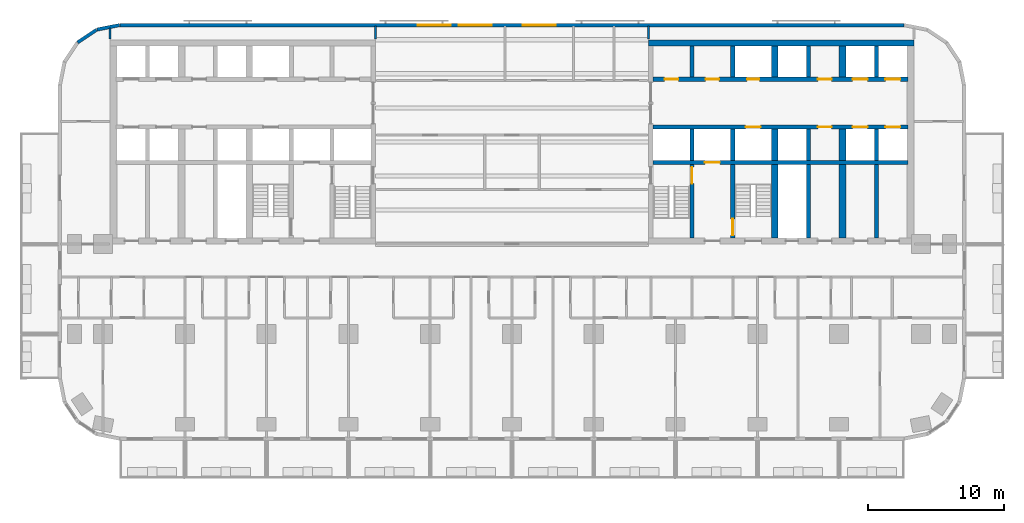
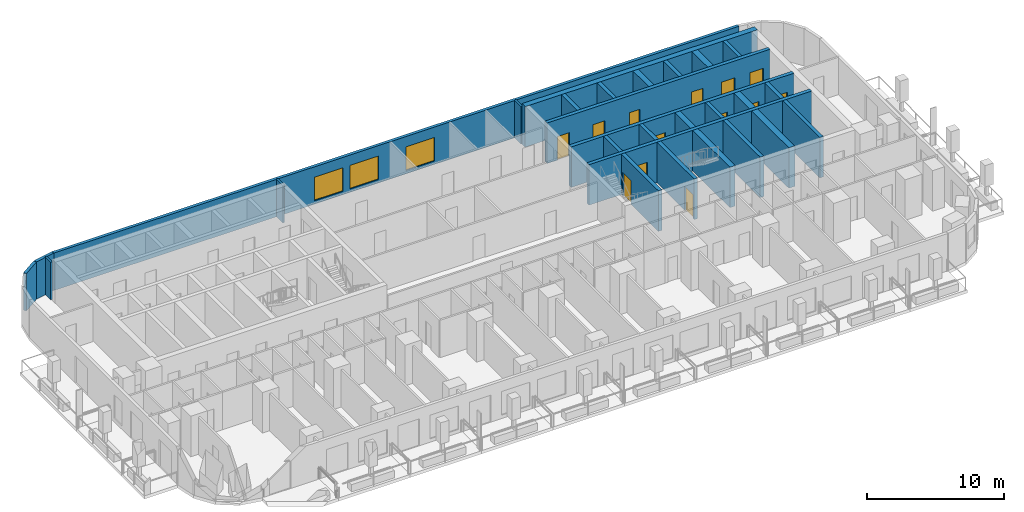
# One storey, part 8 of 15: 28 walls, 13 doors, 3 windows, 16 openings.
"""IFC4 building model written with IfcOpenShell, lengths in metres."""

import ifcopenshell
import ifcopenshell.guid

model = None  # the IFC model being written
_history = None  # IfcOwnerHistory: only IFC2X3 demands one
_inside = {}  # id of a spatial element -> (the spatial element, [elements in it])
_under = {}  # id of a project, library or spatial element -> (it, [spatial elements below it])
_declared = {}  # id of a project -> (the project, [libraries it declares])
_typed = {}  # id of a type object -> (the type object, [elements of that type])
_made_of = {}  # id of a material, layer set ... -> (it, [elements and type objects made of it])


def new_model(schema):
    """Start an empty IFC model of exactly this schema.

    Asked for "IFC4X3", IfcOpenShell would pick the latest addendum, in which some entities
    have other attributes; the version numbers below select the first issue.
    IFC2X3 requires an IfcOwnerHistory on every rooted entity: one is made here for all.
    """
    global model, _history
    if schema == "IFC4X3":
        model = ifcopenshell.file(schema_version=(4, 3, 0, 0))
    else:
        model = ifcopenshell.file(schema=schema)
    _inside.clear()
    _under.clear()
    _declared.clear()
    _typed.clear()
    _made_of.clear()
    _history = None
    if model.schema == "IFC2X3":
        org = make("IfcOrganization", Name="unknown")
        user = make(
            "IfcPersonAndOrganization",
            ThePerson=make("IfcPerson", FamilyName="unknown"),
            TheOrganization=org,
        )
        app = make(
            "IfcApplication",
            ApplicationDeveloper=org,
            Version="unknown",
            ApplicationFullName="unknown",
            ApplicationIdentifier="unknown",
        )
        _history = make(
            "IfcOwnerHistory",
            OwningUser=user,
            OwningApplication=app,
            ChangeAction="ADDED",
            CreationDate=0,
        )
    return model


def make(cls, **values):
    """One entity of the class cls with the attributes given. An attribute that is None is left unset."""
    return model.create_entity(
        cls, **{name: value for name, value in values.items() if value is not None}
    )


def rooted(cls, **values):
    """An entity with a GlobalId (a new one), such as an element, a storey or a relation."""
    return make(cls, GlobalId=ifcopenshell.guid.new(), OwnerHistory=_history, **values)


def si_unit(unit_type, name, prefix=None):
    """IfcSIUnit, for example si_unit("LENGTHUNIT", "METRE", prefix="MILLI")."""
    return make("IfcSIUnit", UnitType=unit_type, Prefix=prefix, Name=name)


def assignment(units):
    """IfcUnitAssignment: the units of a project."""
    return None if units is None else make("IfcUnitAssignment", Units=units)


def point(xyz):
    """IfcCartesianPoint."""
    return None if xyz is None else make("IfcCartesianPoint", Coordinates=xyz)


def direction(xyz):
    """IfcDirection."""
    return None if xyz is None else make("IfcDirection", DirectionRatios=xyz)


def frame(location, z_axis=None, x_axis=None):
    """IfcAxis2Placement3D, a coordinate frame: its origin and axes. An axis left out is left unset."""
    return make(
        "IfcAxis2Placement3D",
        Location=point(location),
        Axis=direction(z_axis),
        RefDirection=direction(x_axis),
    )


def frame_2d(location, x_axis=None):
    """IfcAxis2Placement2D, a coordinate frame in the plane: its origin and x axis."""
    return make(
        "IfcAxis2Placement2D", Location=point(location), RefDirection=direction(x_axis)
    )


def origin():
    """The frame at (0, 0, 0) with its axes left unset."""
    return frame((0.0, 0.0, 0.0))


def place(relative_to, where):
    """IfcLocalPlacement: puts the frame where relative to a parent placement (None: the world)."""
    return make(
        "IfcLocalPlacement", PlacementRelTo=relative_to, RelativePlacement=where
    )


def context(
    kind, dimensions, precision=None, world=None, true_north=None, identifier=None
):
    """IfcGeometricRepresentationContext, for example the 3D "Model" context."""
    return make(
        "IfcGeometricRepresentationContext",
        ContextIdentifier=identifier,
        ContextType=kind,
        CoordinateSpaceDimension=dimensions,
        Precision=precision,
        WorldCoordinateSystem=world,
        TrueNorth=true_north,
    )


def subcontext(parent, identifier, kind, view, scale=None):
    """IfcGeometricRepresentationSubContext, for example "Body" below "Model"."""
    return make(
        "IfcGeometricRepresentationSubContext",
        ContextIdentifier=identifier,
        ContextType=kind,
        ParentContext=parent,
        TargetScale=scale,
        TargetView=view,
    )


def project(units=None, contexts=None):
    """IfcProject with its units and contexts."""
    return rooted(
        "IfcProject",
        Name="project",
        RepresentationContexts=contexts,
        UnitsInContext=assignment(units),
    )


def spatial(cls, under=None, at=None, **own):
    """A site, building, storey or space (cls), placed at a placement, below another one or the project."""
    s = rooted(cls, ObjectPlacement=at, **own)
    if under is not None:
        _under.setdefault(under.id(), (under, []))[1].append(s)
    return s


def profile(cls, at=None, kind="AREA", **sizes):
    """A parametric profile (cls). Its sizes go by their IFC names, for example OverallWidth=200.0."""
    return make(cls, ProfileType=kind, Position=at, **sizes)


def rectangle(**sizes):
    """IfcRectangleProfileDef."""
    return profile("IfcRectangleProfileDef", **sizes)


def extrude(swept, where, along, depth):
    """IfcExtrudedAreaSolid: the profile swept, set in the frame where, extruded along a direction by depth."""
    return make(
        "IfcExtrudedAreaSolid",
        SweptArea=swept,
        Position=where,
        ExtrudedDirection=direction(along),
        Depth=depth,
    )


def shape(context_of_items, identifier, shape_type, items):
    """IfcShapeRepresentation: the items that make up one representation, for example the "Body"."""
    return make(
        "IfcShapeRepresentation",
        ContextOfItems=context_of_items,
        RepresentationIdentifier=identifier,
        RepresentationType=shape_type,
        Items=items,
    )


def material(Name=None, Category=None):
    """IfcMaterial."""
    return make("IfcMaterial", Name=Name, Category=Category)


def layer(
    of_material, thickness, ventilated=None, Name=None, Category=None, Priority=None
):
    """IfcMaterialLayer: one layer of a wall or slab, of a material (None: an air gap)."""
    return make(
        "IfcMaterialLayer",
        Material=of_material,
        LayerThickness=thickness,
        IsVentilated=ventilated,
        Name=Name,
        Category=Category,
        Priority=Priority,
    )


def layer_set(layers, Name=None):
    """IfcMaterialLayerSet."""
    return make("IfcMaterialLayerSet", MaterialLayers=layers, LayerSetName=Name)


def made_of(thing, what):
    """Note that an element or type object is made of a material, layer set ...; save() writes the relation."""
    if what is not None:
        _made_of.setdefault(what.id(), (what, []))[1].append(thing)
    return thing


def type_object(cls, material=None, **own):
    """A type object (cls), such as IfcWallType, which elements share."""
    return made_of(rooted(cls, **own), material)


def element(
    cls,
    number,
    at=None,
    inside=None,
    cuts=None,
    type_object=None,
    material=None,
    context=None,
    identifier="Body",
    shape_type=None,
    held_by="IfcProductDefinitionShape",
    body=None,
    shapes=None,
    **own,
):
    """One element of the class cls, such as IfcWall. Its Tag is "e" and its number.

    at: its placement. inside: the storey or other place that contains it. cuts: it is an
    opening in that element (IfcRelVoidsElement). A single representation is given by context,
    identifier, shape_type and body (its items); several are given by shapes. held_by: the class
    of the entity that holds the representations. save() writes the other relations.
    """
    e = rooted(cls, Tag="e%d" % number, ObjectPlacement=at, **own)
    if body is not None:
        shapes = [shape(context, identifier, shape_type, body)]
    if shapes is not None:
        e.Representation = make(held_by, Representations=shapes)
    if inside is not None:
        _inside.setdefault(inside.id(), (inside, []))[1].append(e)
    if cuts is not None:
        rooted(
            "IfcRelVoidsElement", RelatingBuildingElement=cuts, RelatedOpeningElement=e
        )
    if type_object is not None:
        _typed.setdefault(type_object.id(), (type_object, []))[1].append(e)
    return made_of(e, material)


def fill(opening, filler):
    """IfcRelFillsElement: the door or window that sits in an opening."""
    return rooted(
        "IfcRelFillsElement",
        RelatingOpeningElement=opening,
        RelatedBuildingElement=filler,
    )


def aggregate(whole, parts):
    """IfcRelAggregates: a whole, such as a stair, and the parts it consists of."""
    return rooted("IfcRelAggregates", RelatingObject=whole, RelatedObjects=parts)


def save(model, path):
    """Write the relations noted so far, then the file.

    IfcRelAggregates (storeys below a building ...), IfcRelContainedInSpatialStructure (elements
    in a storey), IfcRelDefinesByType, IfcRelAssociatesMaterial and IfcRelDeclares: one each for
    every whole, place, type object, material and project.
    """
    for whole, parts in _under.values():
        aggregate(whole, parts)
    for where, things in _inside.values():
        rooted(
            "IfcRelContainedInSpatialStructure",
            RelatedElements=things,
            RelatingStructure=where,
        )
    for kind, things in _typed.values():
        rooted("IfcRelDefinesByType", RelatedObjects=things, RelatingType=kind)
    for what, things in _made_of.values():
        rooted("IfcRelAssociatesMaterial", RelatedObjects=things, RelatingMaterial=what)
    for by, libraries in _declared.values():
        rooted("IfcRelDeclares", RelatingContext=by, RelatedDefinitions=libraries)
    model.write(path)


model = new_model("IFC4")

# Units and contexts
model_context = context("Model", 3, precision=1e-05, world=origin(), true_north=direction((0.0, 1.0)))
body_context = subcontext(model_context, "Body", "Model", "MODEL_VIEW")
ifc_project = project(units=[si_unit("LENGTHUNIT", "METRE"), si_unit("AREAUNIT", "SQUARE_METRE"), si_unit("VOLUMEUNIT", "CUBIC_METRE"), si_unit("PLANEANGLEUNIT", "RADIAN"), si_unit("MASSUNIT", "GRAM", prefix="KILO")], contexts=[model_context])

# Site, building, storey
site_placement = place(None, origin())
site = spatial("IfcSite", under=ifc_project, at=site_placement, CompositionType="ELEMENT")
building_placement = place(site_placement, origin())
building = spatial("IfcBuilding", under=site, at=building_placement, Name="Torana Hotel and Residences", CompositionType="ELEMENT")
storey_placement = place(building_placement, frame((0.0, 0.0, 52.800048828125)))
storey = spatial("IfcBuildingStorey", under=building, at=storey_placement, Name="L12", CompositionType="ELEMENT", Elevation=52.800048828125)

# Wall, openings, doors
ifc_material_1 = material(Name="Concrete C80/95", Category="concrete")
ifc_layer_1 = layer(ifc_material_1, 0.300048828125)
ifc_layer_set_1 = layer_set([ifc_layer_1], Name="CORE WALL 300 C80/95")
wall_type_1 = type_object("IfcWallType", Name="CORE WALL 300 C80/95", PredefinedType="SHEAR", material=ifc_layer_set_1)
wall_1_placement = place(storey_placement, frame((10.35009765625, -2.89990234375, 0.0), z_axis=(0.0, 0.0, 1.0), x_axis=(1.0, 0.0, 0.0)))
wall_1 = element("IfcWall", 1, at=wall_1_placement, inside=storey, type_object=wall_type_1, Name="Core wall E row-N", PredefinedType="SHEAR", context=body_context, shape_type="SweptSolid", body=[
    extrude(rectangle(XDim=18.699951171875, YDim=0.300048828125, at=frame_2d((9.35009765625, 0.0))), origin(), (0.0, 0.0, 1.0), 3.599853515625),
])
opening_1_placement = place(wall_1_placement, frame((14.64990234375, 0.0, 0.0)))
opening_1 = element("IfcOpeningElement", 2, at=opening_1_placement, cuts=wall_1, Name="Opening LD", PredefinedType="OPENING", context=body_context, shape_type="SweptSolid", body=[
    extrude(rectangle(XDim=1.10009765625, YDim=2.10009765625, at=frame_2d((0.550048828125, 1.050048828125))), frame((0.0, 0.159912109375, 0.0), z_axis=(0.0, -1.0, 0.0), x_axis=(1.0, 0.0, 0.0)), (0.0, 0.0, 1.0), 0.320068359375),
])
opening_2_placement = place(wall_1_placement, frame((17.050048828125, 0.0, 0.0)))
opening_2 = element("IfcOpeningElement", 3, at=opening_2_placement, cuts=wall_1, Name="Opening LD", PredefinedType="OPENING", context=body_context, shape_type="SweptSolid", body=[
    extrude(rectangle(XDim=1.10009765625, YDim=2.10009765625, at=frame_2d((0.550048828125, 1.050048828125))), frame((0.0, 0.159912109375, 0.0), z_axis=(0.0, -1.0, 0.0), x_axis=(1.0, 0.0, 0.0)), (0.0, 0.0, 1.0), 0.320068359375),
])
opening_3_placement = place(wall_1_placement, frame((6.89990234375, 0.0, 0.0)))
opening_3 = element("IfcOpeningElement", 4, at=opening_3_placement, cuts=wall_1, Name="Opening L12-26", PredefinedType="OPENING", context=body_context, shape_type="SweptSolid", body=[
    extrude(rectangle(XDim=0.89990234375, YDim=2.10009765625, at=frame_2d((0.449951171875, 1.050048828125))), frame((0.0, 0.159912109375, 0.0), z_axis=(0.0, -1.0, 0.0), x_axis=(1.0, 0.0, 0.0)), (0.0, 0.0, 1.0), 0.320068359375),
])
opening_4_placement = place(wall_1_placement, frame((0.85009765625, 0.0, 0.0)))
opening_4 = element("IfcOpeningElement", 5, at=opening_4_placement, cuts=wall_1, Name="Opening L12-27", PredefinedType="OPENING", context=body_context, shape_type="SweptSolid", body=[
    extrude(rectangle(XDim=1.0, YDim=2.10009765625, at=frame_2d((0.5, 1.050048828125))), frame((0.0, 0.159912109375, 0.0), z_axis=(0.0, -1.0, 0.0), x_axis=(1.0, 0.0, 0.0)), (0.0, 0.0, 1.0), 0.320068359375),
])
opening_5_placement = place(wall_1_placement, frame((3.85009765625, 0.0, 0.0)))
opening_5 = element("IfcOpeningElement", 6, at=opening_5_placement, cuts=wall_1, Name="Opening L12-28", PredefinedType="OPENING", context=body_context, shape_type="SweptSolid", body=[
    extrude(rectangle(XDim=1.0, YDim=2.10009765625, at=frame_2d((0.5, 1.050048828125))), frame((0.0, 0.159912109375, 0.0), z_axis=(0.0, -1.0, 0.0), x_axis=(1.0, 0.0, 0.0)), (0.0, 0.0, 1.0), 0.320068359375),
])
opening_6_placement = place(wall_1_placement, frame((12.10009765625, 0.0, 0.0)))
opening_6 = element("IfcOpeningElement", 7, at=opening_6_placement, cuts=wall_1, Name="Opening L12-29", PredefinedType="OPENING", context=body_context, shape_type="SweptSolid", body=[
    extrude(rectangle(XDim=1.0, YDim=2.10009765625, at=frame_2d((0.5, 1.050048828125))), frame((0.0, 0.159912109375, 0.0), z_axis=(0.0, -1.0, 0.0), x_axis=(1.0, 0.0, 0.0)), (0.0, 0.0, 1.0), 0.320068359375),
])
ifc_material_2 = material(Name="Steel S235", Category="steel")
door_type_1 = type_object("IfcDoorType", Name="CORE ROOM FIRE DOOR D14 1000x2100", OperationType="SINGLE_SWING_LEFT", PredefinedType="DOOR", material=ifc_material_2)
door_1_placement = place(opening_4_placement, origin())
door_1 = element("IfcDoor", 8, at=door_1_placement, inside=storey, type_object=door_type_1, Name="N0 door L12", OperationType="SINGLE_SWING_RIGHT", OverallHeight=2.10009765625, OverallWidth=1.0, PredefinedType="DOOR", context=body_context, shape_type="SweptSolid", body=[
    extrude(rectangle(XDim=1.0, YDim=2.10009765625, at=frame_2d((0.5, 1.050048828125))), frame((0.0, 0.02490234375, 0.0), z_axis=(0.0, -1.0, 0.0), x_axis=(1.0, 0.0, 0.0)), (0.0, 0.0, 1.0), 0.050048828125),
])
fill(opening_4, door_1)
door_2_placement = place(opening_5_placement, origin())
door_2 = element("IfcDoor", 9, at=door_2_placement, inside=storey, type_object=door_type_1, Name="N1 door L12", OperationType="SINGLE_SWING_RIGHT", OverallHeight=2.10009765625, OverallWidth=1.0, PredefinedType="DOOR", context=body_context, shape_type="SweptSolid", body=[
    extrude(rectangle(XDim=1.0, YDim=2.10009765625, at=frame_2d((0.5, 1.050048828125))), frame((0.0, 0.02490234375, 0.0), z_axis=(0.0, -1.0, 0.0), x_axis=(1.0, 0.0, 0.0)), (0.0, 0.0, 1.0), 0.050048828125),
])
fill(opening_5, door_2)
door_3_placement = place(opening_6_placement, origin())
door_3 = element("IfcDoor", 10, at=door_3_placement, inside=storey, type_object=door_type_1, Name="Free-M3 door L12", OperationType="SINGLE_SWING_RIGHT", OverallHeight=2.10009765625, OverallWidth=1.0, PredefinedType="DOOR", context=body_context, shape_type="SweptSolid", body=[
    extrude(rectangle(XDim=1.0, YDim=2.10009765625, at=frame_2d((0.5, 1.050048828125))), frame((0.0, 0.02490234375, 0.0), z_axis=(0.0, -1.0, 0.0), x_axis=(1.0, 0.0, 0.0)), (0.0, 0.0, 1.0), 0.050048828125),
])
fill(opening_6, door_3)
ifc_material_3 = material(Name="Stainless steel 316", Category="steel")
door_type_2 = type_object("IfcDoorType", Name="LIFT LANDING DOOR LD 1100x2100", OperationType="DOUBLE_DOOR_SLIDING", PredefinedType="USERDEFINED", material=ifc_material_3)
door_4_placement = place(opening_1_placement, origin())
door_4 = element("IfcDoor", 11, at=door_4_placement, inside=storey, type_object=door_type_2, Name="Lift landing door L5 L12", ObjectType="LIFT LANDING DOOR", OperationType="DOUBLE_DOOR_SLIDING", OverallHeight=2.10009765625, OverallWidth=1.10009765625, PredefinedType="USERDEFINED", context=body_context, shape_type="SweptSolid", body=[
    extrude(rectangle(XDim=1.10009765625, YDim=2.10009765625, at=frame_2d((0.550048828125, 1.050048828125))), frame((0.0, 0.02490234375, 0.0), z_axis=(0.0, -1.0, 0.0), x_axis=(1.0, 0.0, 0.0)), (0.0, 0.0, 1.0), 0.050048828125),
])
fill(opening_1, door_4)
door_5_placement = place(opening_2_placement, origin())
door_5 = element("IfcDoor", 12, at=door_5_placement, inside=storey, type_object=door_type_2, Name="Lift landing door L6 L12", ObjectType="LIFT LANDING DOOR", OperationType="DOUBLE_DOOR_SLIDING", OverallHeight=2.10009765625, OverallWidth=1.10009765625, PredefinedType="USERDEFINED", context=body_context, shape_type="SweptSolid", body=[
    extrude(rectangle(XDim=1.10009765625, YDim=2.10009765625, at=frame_2d((0.550048828125, 1.050048828125))), frame((0.0, 0.02490234375, 0.0), z_axis=(0.0, -1.0, 0.0), x_axis=(1.0, 0.0, 0.0)), (0.0, 0.0, 1.0), 0.050048828125),
])
fill(opening_2, door_5)
ifc_material_4 = material(Name="Steel S235", Category="steel")
door_type_3 = type_object("IfcDoorType", Name="RISER ACCESS DOOR D5 900x2100", OperationType="SINGLE_SWING_LEFT", PredefinedType="DOOR", material=ifc_material_4)
door_6_placement = place(opening_3_placement, origin())
door_6 = element("IfcDoor", 13, at=door_6_placement, inside=storey, type_object=door_type_3, Name="N2 door L12", OperationType="SINGLE_SWING_RIGHT", OverallHeight=2.10009765625, OverallWidth=0.89990234375, PredefinedType="DOOR", context=body_context, shape_type="SweptSolid", body=[
    extrude(rectangle(XDim=0.89990234375, YDim=2.10009765625, at=frame_2d((0.449951171875, 1.050048828125))), frame((0.0, 0.02490234375, 0.0), z_axis=(0.0, -1.0, 0.0), x_axis=(1.0, 0.0, 0.0)), (0.0, 0.0, 1.0), 0.050048828125),
])
fill(opening_3, door_6)

wall_2_placement = place(storey_placement, frame((10.35009765625, -6.39990234375, 0.0), z_axis=(0.0, 0.0, 1.0), x_axis=(1.0, 0.0, 0.0)))
wall_2 = element("IfcWall", 14, at=wall_2_placement, inside=storey, type_object=wall_type_1, Name="Core wall E row-S", PredefinedType="SHEAR", context=body_context, shape_type="SweptSolid", body=[
    extrude(rectangle(XDim=18.699951171875, YDim=0.300048828125, at=frame_2d((9.35009765625, 0.0))), origin(), (0.0, 0.0, 1.0), 3.599853515625),
])
opening_7_placement = place(wall_2_placement, frame((14.64990234375, 0.0, 0.0)))
opening_7 = element("IfcOpeningElement", 15, at=opening_7_placement, cuts=wall_2, Name="Opening LD", PredefinedType="OPENING", context=body_context, shape_type="SweptSolid", body=[
    extrude(rectangle(XDim=1.10009765625, YDim=2.10009765625, at=frame_2d((0.550048828125, 1.050048828125))), frame((0.0, 0.159912109375, 0.0), z_axis=(0.0, -1.0, 0.0), x_axis=(1.0, 0.0, 0.0)), (0.0, 0.0, 1.0), 0.320068359375),
])
opening_8_placement = place(wall_2_placement, frame((17.050048828125, 0.0, 0.0)))
opening_8 = element("IfcOpeningElement", 16, at=opening_8_placement, cuts=wall_2, Name="Opening LD", PredefinedType="OPENING", context=body_context, shape_type="SweptSolid", body=[
    extrude(rectangle(XDim=1.10009765625, YDim=2.10009765625, at=frame_2d((0.550048828125, 1.050048828125))), frame((0.0, 0.159912109375, 0.0), z_axis=(0.0, -1.0, 0.0), x_axis=(1.0, 0.0, 0.0)), (0.0, 0.0, 1.0), 0.320068359375),
])
opening_9_placement = place(wall_2_placement, frame((6.800048828125, 0.0, 0.0)))
opening_9 = element("IfcOpeningElement", 17, at=opening_9_placement, cuts=wall_2, Name="Opening LD", PredefinedType="OPENING", context=body_context, shape_type="SweptSolid", body=[
    extrude(rectangle(XDim=1.10009765625, YDim=2.10009765625, at=frame_2d((0.550048828125, 1.050048828125))), frame((0.0, 0.159912109375, 0.0), z_axis=(0.0, -1.0, 0.0), x_axis=(1.0, 0.0, 0.0)), (0.0, 0.0, 1.0), 0.320068359375),
])
opening_10_placement = place(wall_2_placement, frame((12.10009765625, 0.0, 0.0)))
opening_10 = element("IfcOpeningElement", 18, at=opening_10_placement, cuts=wall_2, Name="Opening L12-30", PredefinedType="OPENING", context=body_context, shape_type="SweptSolid", body=[
    extrude(rectangle(XDim=1.0, YDim=2.10009765625, at=frame_2d((0.5, 1.050048828125))), frame((0.0, 0.159912109375, 0.0), z_axis=(0.0, -1.0, 0.0), x_axis=(1.0, 0.0, 0.0)), (0.0, 0.0, 1.0), 0.320068359375),
])
door_7_placement = place(opening_10_placement, frame((0.5, 0.0, 0.0), z_axis=(0.0, 0.0, 1.0), x_axis=(-1.0, 0.0, 0.0)))
door_7 = element("IfcDoor", 19, at=door_7_placement, inside=storey, type_object=door_type_1, Name="Free-M4 door L12", OperationType="SINGLE_SWING_LEFT", OverallHeight=2.10009765625, OverallWidth=1.0, PredefinedType="DOOR", context=body_context, shape_type="SweptSolid", body=[
    extrude(rectangle(XDim=1.0, YDim=2.10009765625, at=frame_2d((0.0, 1.050048828125))), frame((0.0, -0.02490234375, 0.0), z_axis=(0.0, 1.0, 0.0), x_axis=(-1.0, 0.0, 0.0)), (0.0, 0.0, 1.0), 0.050048828125),
])
fill(opening_10, door_7)
door_8_placement = place(opening_7_placement, origin())
door_8 = element("IfcDoor", 20, at=door_8_placement, inside=storey, type_object=door_type_2, Name="Lift landing door L7 L12", ObjectType="LIFT LANDING DOOR", OperationType="DOUBLE_DOOR_SLIDING", OverallHeight=2.10009765625, OverallWidth=1.10009765625, PredefinedType="USERDEFINED", context=body_context, shape_type="SweptSolid", body=[
    extrude(rectangle(XDim=1.10009765625, YDim=2.10009765625, at=frame_2d((0.550048828125, 1.050048828125))), frame((0.0, 0.02490234375, 0.0), z_axis=(0.0, -1.0, 0.0), x_axis=(1.0, 0.0, 0.0)), (0.0, 0.0, 1.0), 0.050048828125),
])
fill(opening_7, door_8)
door_9_placement = place(opening_8_placement, origin())
door_9 = element("IfcDoor", 21, at=door_9_placement, inside=storey, type_object=door_type_2, Name="Lift landing door L8 L12", ObjectType="LIFT LANDING DOOR", OperationType="DOUBLE_DOOR_SLIDING", OverallHeight=2.10009765625, OverallWidth=1.10009765625, PredefinedType="USERDEFINED", context=body_context, shape_type="SweptSolid", body=[
    extrude(rectangle(XDim=1.10009765625, YDim=2.10009765625, at=frame_2d((0.550048828125, 1.050048828125))), frame((0.0, 0.02490234375, 0.0), z_axis=(0.0, -1.0, 0.0), x_axis=(1.0, 0.0, 0.0)), (0.0, 0.0, 1.0), 0.050048828125),
])
fill(opening_8, door_9)
door_10_placement = place(opening_9_placement, origin())
door_10 = element("IfcDoor", 22, at=door_10_placement, inside=storey, type_object=door_type_2, Name="Lift landing door SV2 L12", ObjectType="LIFT LANDING DOOR", OperationType="DOUBLE_DOOR_SLIDING", OverallHeight=2.10009765625, OverallWidth=1.10009765625, PredefinedType="USERDEFINED", context=body_context, shape_type="SweptSolid", body=[
    extrude(rectangle(XDim=1.10009765625, YDim=2.10009765625, at=frame_2d((0.550048828125, 1.050048828125))), frame((0.0, 0.02490234375, 0.0), z_axis=(0.0, -1.0, 0.0), x_axis=(1.0, 0.0, 0.0)), (0.0, 0.0, 1.0), 0.050048828125),
])
fill(opening_9, door_10)

# Wall, opening, door
wall_3_placement = place(storey_placement, frame((10.35009765625, -9.0, 0.0), z_axis=(0.0, 0.0, 1.0), x_axis=(1.0, 0.0, 0.0)))
wall_3 = element("IfcWall", 23, at=wall_3_placement, inside=storey, type_object=wall_type_1, Name="Core wall E band", PredefinedType="SHEAR", context=body_context, shape_type="SweptSolid", body=[
    extrude(rectangle(XDim=18.699951171875, YDim=0.300048828125, at=frame_2d((9.35009765625, 0.0))), origin(), (0.0, 0.0, 1.0), 3.599853515625),
])
opening_11_placement = place(wall_3_placement, frame((3.800048828125, 0.0, 0.0)))
opening_11 = element("IfcOpeningElement", 24, at=opening_11_placement, cuts=wall_3, Name="Opening LD", PredefinedType="OPENING", context=body_context, shape_type="SweptSolid", body=[
    extrude(rectangle(XDim=1.10009765625, YDim=2.10009765625, at=frame_2d((0.550048828125, 1.050048828125))), frame((0.0, 0.159912109375, 0.0), z_axis=(0.0, -1.0, 0.0), x_axis=(1.0, 0.0, 0.0)), (0.0, 0.0, 1.0), 0.320068359375),
])
door_11_placement = place(opening_11_placement, origin())
door_11 = element("IfcDoor", 25, at=door_11_placement, inside=storey, type_object=door_type_2, Name="Lift landing door FF2 L12", ObjectType="LIFT LANDING DOOR", OperationType="DOUBLE_DOOR_SLIDING", OverallHeight=2.10009765625, OverallWidth=1.10009765625, PredefinedType="USERDEFINED", context=body_context, shape_type="SweptSolid", body=[
    extrude(rectangle(XDim=1.10009765625, YDim=2.10009765625, at=frame_2d((0.550048828125, 1.050048828125))), frame((0.0, 0.02490234375, 0.0), z_axis=(0.0, -1.0, 0.0), x_axis=(1.0, 0.0, 0.0)), (0.0, 0.0, 1.0), 0.050048828125),
])
fill(opening_11, door_11)

# Walls
for number, where, z_axis, x_axis, name in (
    (26, (13.199951171875, -2.75, 0.0), (0.0, 0.0, 1.0), (0.0, 1.0, 0.0), "Core wall E x3.05-N"),
    (27, (13.199951171875, -8.85009765625, 0.0), (0.0, 0.0, 1.0), (0.0, 1.0, 0.0), "Core wall E x3.05-S"),
):
    element("IfcWall", number, at=place(storey_placement, frame(where, z_axis=z_axis, x_axis=x_axis)), inside=storey, type_object=wall_type_1, Name=name, PredefinedType="SHEAR", context=body_context, shape_type="SweptSolid", body=[
        extrude(rectangle(XDim=2.300048828125, YDim=0.300048828125, at=frame_2d((1.14990234375, 0.0))), origin(), (0.0, 0.0, 1.0), 3.599853515625),
    ])

# Wall, opening, door
wall_4_placement = place(storey_placement, frame((13.199951171875, -14.550048828125, 0.0), z_axis=(0.0, 0.0, 1.0), x_axis=(0.0, 1.0, 0.0)))
wall_4 = element("IfcWall", 28, at=wall_4_placement, inside=storey, type_object=wall_type_1, Name="Core wall E x3.05-band", PredefinedType="SHEAR", context=body_context, shape_type="SweptSolid", body=[
    extrude(rectangle(XDim=5.400146484375, YDim=0.300048828125, at=frame_2d((2.7001953125, 0.0))), origin(), (0.0, 0.0, 1.0), 3.599853515625),
])
opening_12_placement = place(wall_4_placement, frame((4.0, 0.0, 0.0)))
opening_12 = element("IfcOpeningElement", 29, at=opening_12_placement, cuts=wall_4, Name="Opening L12-31", PredefinedType="OPENING", context=body_context, shape_type="SweptSolid", body=[
    extrude(rectangle(XDim=1.199951171875, YDim=2.10009765625, at=frame_2d((0.60009765625, 1.050048828125))), frame((0.0, 0.159912109375, 0.0), z_axis=(0.0, -1.0, 0.0), x_axis=(1.0, 0.0, 0.0)), (0.0, 0.0, 1.0), 0.320068359375),
])
ifc_material_5 = material(Name="Steel S235", Category="steel")
door_type_4 = type_object("IfcDoorType", Name="STAIR FIRE DOOR D3 1200x2100", OperationType="SINGLE_SWING_LEFT", PredefinedType="DOOR", material=ifc_material_5)
door_12_placement = place(opening_12_placement, origin())
door_12 = element("IfcDoor", 30, at=door_12_placement, inside=storey, type_object=door_type_4, Name="Stair-A-lobby door L12", OperationType="SINGLE_SWING_LEFT", OverallHeight=2.10009765625, OverallWidth=1.199951171875, PredefinedType="DOOR", context=body_context, shape_type="SweptSolid", body=[
    extrude(rectangle(XDim=1.199951171875, YDim=2.10009765625, at=frame_2d((0.60009765625, 1.050048828125))), frame((0.0, 0.02490234375, 0.0), z_axis=(0.0, -1.0, 0.0), x_axis=(1.0, 0.0, 0.0)), (0.0, 0.0, 1.0), 0.050048828125),
])
fill(opening_12, door_12)

# Walls
for number, where, z_axis, x_axis, name in (
    (31, (16.199951171875, -2.75, 0.0), (0.0, 0.0, 1.0), (0.0, 1.0, 0.0), "Core wall E x6.05-N"),
    (32, (16.199951171875, -8.85009765625, 0.0), (0.0, 0.0, 1.0), (0.0, 1.0, 0.0), "Core wall E x6.05-S"),
):
    element("IfcWall", number, at=place(storey_placement, frame(where, z_axis=z_axis, x_axis=x_axis)), inside=storey, type_object=wall_type_1, Name=name, PredefinedType="SHEAR", context=body_context, shape_type="SweptSolid", body=[
        extrude(rectangle(XDim=2.300048828125, YDim=0.300048828125, at=frame_2d((1.14990234375, 0.0))), origin(), (0.0, 0.0, 1.0), 3.599853515625),
    ])

# Wall, opening, door
wall_5_placement = place(storey_placement, frame((16.199951171875, -14.550048828125, 0.0), z_axis=(0.0, 0.0, 1.0), x_axis=(0.0, 1.0, 0.0)))
wall_5 = element("IfcWall", 33, at=wall_5_placement, inside=storey, type_object=wall_type_1, Name="Core wall E x6.05-band", PredefinedType="SHEAR", context=body_context, shape_type="SweptSolid", body=[
    extrude(rectangle(XDim=5.400146484375, YDim=0.300048828125, at=frame_2d((2.7001953125, 0.0))), origin(), (0.0, 0.0, 1.0), 3.599853515625),
])
opening_13_placement = place(wall_5_placement, frame((0.199951171875, 0.0, 0.0)))
opening_13 = element("IfcOpeningElement", 34, at=opening_13_placement, cuts=wall_5, Name="Opening L12-32", PredefinedType="OPENING", context=body_context, shape_type="SweptSolid", body=[
    extrude(rectangle(XDim=1.199951171875, YDim=2.10009765625, at=frame_2d((0.60009765625, 1.050048828125))), frame((0.0, 0.159912109375, 0.0), z_axis=(0.0, -1.0, 0.0), x_axis=(1.0, 0.0, 0.0)), (0.0, 0.0, 1.0), 0.320068359375),
])
door_13_placement = place(opening_13_placement, frame((0.60009765625, 0.0, 0.0), z_axis=(0.0, 0.0, 1.0), x_axis=(-1.0, 0.0, 0.0)))
door_13 = element("IfcDoor", 35, at=door_13_placement, inside=storey, type_object=door_type_4, Name="Stair-B-lobby door L12", OperationType="SINGLE_SWING_LEFT", OverallHeight=2.10009765625, OverallWidth=1.199951171875, PredefinedType="DOOR", context=body_context, shape_type="SweptSolid", body=[
    extrude(rectangle(XDim=1.199951171875, YDim=2.10009765625, at=frame_2d((0.0, 1.050048828125))), frame((0.0, -0.02490234375, 0.0), z_axis=(0.0, 1.0, 0.0), x_axis=(-1.0, 0.0, 0.0)), (0.0, 0.0, 1.0), 0.050048828125),
])
fill(opening_13, door_13)

# Walls
for number, where, z_axis, x_axis, name in (
    (36, (21.75, -2.75, 0.0), (0.0, 0.0, 1.0), (0.0, 1.0, 0.0), "Core wall E mm-N"),
    (37, (21.75, -8.85009765625, 0.0), (0.0, 0.0, 1.0), (0.0, 1.0, 0.0), "Core wall E mm-S"),
):
    element("IfcWall", number, at=place(storey_placement, frame(where, z_axis=z_axis, x_axis=x_axis)), inside=storey, type_object=wall_type_1, Name=name, PredefinedType="SHEAR", context=body_context, shape_type="SweptSolid", body=[
        extrude(rectangle(XDim=2.300048828125, YDim=0.300048828125, at=frame_2d((1.14990234375, 0.0))), origin(), (0.0, 0.0, 1.0), 3.599853515625),
    ])
wall_6_placement = place(storey_placement, frame((21.75, -14.550048828125, 0.0), z_axis=(0.0, 0.0, 1.0), x_axis=(0.0, 1.0, 0.0)))
element("IfcWall", 38, at=wall_6_placement, inside=storey, type_object=wall_type_1, Name="Core wall E mm-band", PredefinedType="SHEAR", context=body_context, shape_type="SweptSolid", body=[
    extrude(rectangle(XDim=5.400146484375, YDim=0.300048828125, at=frame_2d((2.7001953125, 0.0))), origin(), (0.0, 0.0, 1.0), 3.599853515625),
])
for number, where, z_axis, x_axis, name in (
    (39, (26.75, -2.75, 0.0), (0.0, 0.0, 1.0), (0.0, 1.0, 0.0), "Core wall E ll-N"),
    (40, (26.75, -8.85009765625, 0.0), (0.0, 0.0, 1.0), (0.0, 1.0, 0.0), "Core wall E ll-S"),
):
    element("IfcWall", number, at=place(storey_placement, frame(where, z_axis=z_axis, x_axis=x_axis)), inside=storey, type_object=wall_type_1, Name=name, PredefinedType="SHEAR", context=body_context, shape_type="SweptSolid", body=[
        extrude(rectangle(XDim=2.300048828125, YDim=0.300048828125, at=frame_2d((1.14990234375, 0.0))), origin(), (0.0, 0.0, 1.0), 3.599853515625),
    ])
wall_7_placement = place(storey_placement, frame((26.75, -14.550048828125, 0.0), z_axis=(0.0, 0.0, 1.0), x_axis=(0.0, 1.0, 0.0)))
element("IfcWall", 41, at=wall_7_placement, inside=storey, type_object=wall_type_1, Name="Core wall E ll-band", PredefinedType="SHEAR", context=body_context, shape_type="SweptSolid", body=[
    extrude(rectangle(XDim=5.400146484375, YDim=0.300048828125, at=frame_2d((2.7001953125, 0.0))), origin(), (0.0, 0.0, 1.0), 3.599853515625),
])
ifc_material_6 = material(Name="Concrete C80/95", Category="concrete")
ifc_layer_2 = layer(ifc_material_6, 0.449951171875)
ifc_layer_set_2 = layer_set([ifc_layer_2], Name="CORE WALL 450 C80/95")
wall_type_2 = type_object("IfcWallType", Name="CORE WALL 450 C80/95", PredefinedType="SHEAR", material=ifc_layer_set_2)
wall_8_placement = place(storey_placement, frame((10.0, -0.22509765625, 0.0), z_axis=(0.0, 0.0, 1.0), x_axis=(1.0, 0.0, 0.0)))
element("IfcWall", 42, at=wall_8_placement, inside=storey, type_object=wall_type_2, Name="Core wall E rear", PredefinedType="SHEAR", context=body_context, shape_type="SweptSolid", body=[
    extrude(rectangle(XDim=19.5, YDim=0.449951171875, at=frame_2d((9.75, 0.0))), origin(), (0.0, 0.0, 1.0), 3.599853515625),
])
for number, where, z_axis, x_axis, name in (
    (43, (19.27490234375, -2.75, 0.0), (0.0, 0.0, 1.0), (0.0, 1.0, 0.0), "Core wall E hm-N"),
    (44, (19.27490234375, -8.85009765625, 0.0), (0.0, 0.0, 1.0), (0.0, 1.0, 0.0), "Core wall E hm-S"),
):
    element("IfcWall", number, at=place(storey_placement, frame(where, z_axis=z_axis, x_axis=x_axis)), inside=storey, type_object=wall_type_2, Name=name, PredefinedType="SHEAR", context=body_context, shape_type="SweptSolid", body=[
        extrude(rectangle(XDim=2.300048828125, YDim=0.449951171875, at=frame_2d((1.14990234375, 0.0))), origin(), (0.0, 0.0, 1.0), 3.599853515625),
    ])
wall_9_placement = place(storey_placement, frame((19.27490234375, -14.550048828125, 0.0), z_axis=(0.0, 0.0, 1.0), x_axis=(0.0, 1.0, 0.0)))
element("IfcWall", 45, at=wall_9_placement, inside=storey, type_object=wall_type_2, Name="Core wall E hm-band", PredefinedType="SHEAR", context=body_context, shape_type="SweptSolid", body=[
    extrude(rectangle(XDim=5.400146484375, YDim=0.449951171875, at=frame_2d((2.7001953125, 0.0))), origin(), (0.0, 0.0, 1.0), 3.599853515625),
])
ifc_material_7 = material(Name="Concrete C80/95", Category="concrete")
ifc_layer_3 = layer(ifc_material_7, 0.5)
ifc_layer_set_3 = layer_set([ifc_layer_3], Name="CORE WALL 500 C80/95")
wall_type_3 = type_object("IfcWallType", Name="CORE WALL 500 C80/95", PredefinedType="SHEAR", material=ifc_layer_set_3)
for number, where, z_axis, x_axis, name in (
    (46, (24.25, -2.75, 0.0), (0.0, 0.0, 1.0), (0.0, 1.0, 0.0), "Core wall E ml-N"),
    (47, (24.25, -8.85009765625, 0.0), (0.0, 0.0, 1.0), (0.0, 1.0, 0.0), "Core wall E ml-S"),
):
    element("IfcWall", number, at=place(storey_placement, frame(where, z_axis=z_axis, x_axis=x_axis)), inside=storey, type_object=wall_type_3, Name=name, PredefinedType="SHEAR", context=body_context, shape_type="SweptSolid", body=[
        extrude(rectangle(XDim=2.300048828125, YDim=0.5, at=frame_2d((1.14990234375, 0.0))), origin(), (0.0, 0.0, 1.0), 3.599853515625),
    ])
wall_10_placement = place(storey_placement, frame((24.25, -14.550048828125, 0.0), z_axis=(0.0, 0.0, 1.0), x_axis=(0.0, 1.0, 0.0)))
element("IfcWall", 48, at=wall_10_placement, inside=storey, type_object=wall_type_3, Name="Core wall E ml-band", PredefinedType="SHEAR", context=body_context, shape_type="SweptSolid", body=[
    extrude(rectangle(XDim=5.400146484375, YDim=0.5, at=frame_2d((2.7001953125, 0.0))), origin(), (0.0, 0.0, 1.0), 3.599853515625),
])
ifc_material_8 = material(Name="Black aluminium composite panel", Category="aluminium")
ifc_layer_4 = layer(ifc_material_8, 0.00390625, Name="Cladding", Category="cladding")
ifc_material_9 = material(Name="Ventilated air cavity")
ifc_layer_5 = layer(ifc_material_9, 0.0400390625, Name="Ventilated cavity", Category="cavity")
ifc_material_10 = material(Name="Mineral wool insulation")
ifc_layer_6 = layer(ifc_material_10, 0.090087890625, Name="Insulation", Category="insulation")
ifc_material_11 = material(Name="Steel S280GD", Category="steel")
ifc_layer_7 = layer(ifc_material_11, 0.092041015625, Name="Steel stud frame", Category="structure")
ifc_material_12 = material(Name="Fire rated plasterboard")
ifc_layer_8 = layer(ifc_material_12, 0.011962890625, Name="Inner board", Category="finish")
ifc_layer_9 = layer(ifc_material_12, 0.011962890625, Name="Second board", Category="finish")
ifc_layer_set_4 = layer_set([ifc_layer_4, ifc_layer_5, ifc_layer_6, ifc_layer_7, ifc_layer_8, ifc_layer_9], Name="EW1 EXTERNAL WALL BLACK METAL CLAD 250")
wall_type_4 = type_object("IfcWallType", Name="EW1 EXTERNAL WALL BLACK METAL CLAD 250", PredefinedType="SOLIDWALL", material=ifc_layer_set_4)
wall_11_placement = place(storey_placement, frame((-28.7998046875, 1.072509765625, 0.0), z_axis=(0.0, 0.0, 1.0), x_axis=(-0.980803419081, -0.194999110559, 0.0)))
element("IfcWall", 49, at=wall_11_placement, inside=storey, type_object=wall_type_4, Name="External wall L12 e0.5", PredefinedType="SOLIDWALL", context=body_context, shape_type="SweptSolid", body=[
    extrude(rectangle(XDim=1.681396484375, YDim=0.25, at=frame_2d((0.8408203125, 0.0))), origin(), (0.0, 0.0, 1.0), 3.320068359375),
])
wall_12_placement = place(storey_placement, frame((-30.493896484375, 0.725830078125, 0.0), z_axis=(0.0, 0.0, 1.0), x_axis=(-0.831482937015, -0.55555029066, 0.0)))
element("IfcWall", 50, at=wall_12_placement, inside=storey, type_object=wall_type_4, Name="External wall L12 e0.6", PredefinedType="SOLIDWALL", context=body_context, shape_type="SweptSolid", body=[
    extrude(rectangle(XDim=1.65625, YDim=0.25, at=frame_2d((0.828125, 0.0))), origin(), (0.0, 0.0, 1.0), 3.320068359375),
])

# Wall, openings, windows
ifc_material_13 = material(Name="Concrete C40/50 precast", Category="concrete")
ifc_layer_10 = layer(ifc_material_13, 0.10009765625, Name="Perforated block", Category="cladding")
ifc_material_14 = material(Name="Air cavity")
ifc_layer_11 = layer(ifc_material_14, 0.030029296875, Name="Cavity", Category="cavity")
ifc_material_15 = material(Name="Concrete C40/50", Category="concrete")
ifc_layer_12 = layer(ifc_material_15, 0.10009765625, Name="Wall", Category="structure")
ifc_material_16 = material(Name="Plaster and paint")
ifc_layer_13 = layer(ifc_material_16, 0.02001953125, Name="Inner finish", Category="finish")
ifc_layer_set_5 = layer_set([ifc_layer_10, ifc_layer_11, ifc_layer_12, ifc_layer_13], Name="EW2 PERFORATED BLOCK SCREEN WALL 250")
wall_type_5 = type_object("IfcWallType", Name="EW2 PERFORATED BLOCK SCREEN WALL 250", PredefinedType="SOLIDWALL", material=ifc_layer_set_5)
wall_13_placement = place(storey_placement, frame((28.775390625, 1.074951171875, 0.0), z_axis=(0.0, 0.0, 1.0), x_axis=(-1.0, 0.0, 0.0)))
wall_13 = element("IfcWall", 51, at=wall_13_placement, inside=storey, type_object=wall_type_5, Name="External wall L12 e0.4", PredefinedType="SOLIDWALL", context=body_context, shape_type="SweptSolid", body=[
    extrude(rectangle(XDim=57.55078125, YDim=0.25, at=frame_2d((28.775390625, 0.0))), origin(), (0.0, 0.0, 1.0), 3.320068359375),
])
opening_14_placement = place(wall_13_placement, frame((25.575439453125, 0.0, 0.300048828125)))
opening_14 = element("IfcOpeningElement", 52, at=opening_14_placement, cuts=wall_13, Name="Opening W1", PredefinedType="OPENING", context=body_context, shape_type="SweptSolid", body=[
    extrude(rectangle(XDim=2.39990234375, YDim=2.10009765625, at=frame_2d((1.199951171875, 1.050048828125))), frame((0.0, 0.135009765625, 0.0), z_axis=(0.0, -1.0, 0.0), x_axis=(1.0, 0.0, 0.0)), (0.0, 0.0, 1.0), 0.27001953125),
])
opening_15_placement = place(wall_13_placement, frame((30.275390625, 0.0, 0.300048828125)))
opening_15 = element("IfcOpeningElement", 53, at=opening_15_placement, cuts=wall_13, Name="Opening W1", PredefinedType="OPENING", context=body_context, shape_type="SweptSolid", body=[
    extrude(rectangle(XDim=2.39990234375, YDim=2.10009765625, at=frame_2d((1.199951171875, 1.050048828125))), frame((0.0, 0.135009765625, 0.0), z_axis=(0.0, -1.0, 0.0), x_axis=(1.0, 0.0, 0.0)), (0.0, 0.0, 1.0), 0.27001953125),
])
opening_16_placement = place(wall_13_placement, frame((33.275390625, 0.0, 0.300048828125)))
opening_16 = element("IfcOpeningElement", 54, at=opening_16_placement, cuts=wall_13, Name="Opening W1", PredefinedType="OPENING", context=body_context, shape_type="SweptSolid", body=[
    extrude(rectangle(XDim=2.39990234375, YDim=2.10009765625, at=frame_2d((1.199951171875, 1.050048828125))), frame((0.0, 0.135009765625, 0.0), z_axis=(0.0, -1.0, 0.0), x_axis=(1.0, 0.0, 0.0)), (0.0, 0.0, 1.0), 0.27001953125),
])
ifc_material_17 = material(Name="Dark glass in black aluminium frame", Category="aluminium")
window_type = type_object("IfcWindowType", Name="W1 HOTEL ROOM WINDOW 2400x2100", PartitioningType="SINGLE_PANEL", PredefinedType="WINDOW", material=ifc_material_17)
window_1_placement = place(opening_14_placement, origin())
window_1 = element("IfcWindow", 55, at=window_1_placement, inside=storey, type_object=window_type, Name="Window L12", OverallHeight=2.10009765625, OverallWidth=2.39990234375, PartitioningType="SINGLE_PANEL", PredefinedType="WINDOW", context=body_context, shape_type="SweptSolid", body=[
    extrude(rectangle(XDim=2.39990234375, YDim=2.10009765625, at=frame_2d((1.199951171875, 1.050048828125))), frame((0.0, 0.030029296875, 0.0), z_axis=(0.0, -1.0, 0.0), x_axis=(1.0, 0.0, 0.0)), (0.0, 0.0, 1.0), 0.06005859375),
])
fill(opening_14, window_1)
window_2_placement = place(opening_15_placement, origin())
window_2 = element("IfcWindow", 56, at=window_2_placement, inside=storey, type_object=window_type, Name="Window L12", OverallHeight=2.10009765625, OverallWidth=2.39990234375, PartitioningType="SINGLE_PANEL", PredefinedType="WINDOW", context=body_context, shape_type="SweptSolid", body=[
    extrude(rectangle(XDim=2.39990234375, YDim=2.10009765625, at=frame_2d((1.199951171875, 1.050048828125))), frame((0.0, 0.030029296875, 0.0), z_axis=(0.0, -1.0, 0.0), x_axis=(1.0, 0.0, 0.0)), (0.0, 0.0, 1.0), 0.06005859375),
])
fill(opening_15, window_2)
window_3_placement = place(opening_16_placement, origin())
window_3 = element("IfcWindow", 57, at=window_3_placement, inside=storey, type_object=window_type, Name="Window L12", OverallHeight=2.10009765625, OverallWidth=2.39990234375, PartitioningType="SINGLE_PANEL", PredefinedType="WINDOW", context=body_context, shape_type="SweptSolid", body=[
    extrude(rectangle(XDim=2.39990234375, YDim=2.10009765625, at=frame_2d((1.199951171875, 1.050048828125))), frame((0.0, 0.030029296875, 0.0), z_axis=(0.0, -1.0, 0.0), x_axis=(1.0, 0.0, 0.0)), (0.0, 0.0, 1.0), 0.06005859375),
])
fill(opening_16, window_3)

# Walls
ifc_material_18 = material(Name="Gypsum plasterboard")
ifc_layer_14 = layer(ifc_material_18, 0.012451171875, Name="Plasterboard", Category="finish")
ifc_layer_15 = layer(ifc_material_18, 0.012451171875, Name="Plasterboard", Category="finish")
ifc_layer_16 = layer(ifc_material_11, 0.10009765625, Name="Steel studs with mineral wool", Category="insulation")
ifc_layer_17 = layer(ifc_material_18, 0.012451171875, Name="Plasterboard", Category="finish")
ifc_layer_18 = layer(ifc_material_18, 0.012451171875, Name="Plasterboard", Category="finish")
ifc_layer_set_6 = layer_set([ifc_layer_14, ifc_layer_15, ifc_layer_16, ifc_layer_17, ifc_layer_18], Name="PARTITION 150 PLASTERBOARD")
wall_type_6 = type_object("IfcWallType", Name="PARTITION 150 PLASTERBOARD", PredefinedType="PARTITIONING", material=ifc_layer_set_6)
wall_14_placement = place(storey_placement, frame((-10.0, 0.050048828125, 0.0), z_axis=(0.0, 0.0, 1.0), x_axis=(0.0, 1.0, 0.0)))
element("IfcWall", 58, at=wall_14_placement, inside=storey, type_object=wall_type_6, Name="Partition L12", PredefinedType="PARTITIONING", context=body_context, shape_type="SweptSolid", body=[
    extrude(rectangle(XDim=0.969970703125, YDim=0.14990234375, at=frame_2d((0.48486328125, 0.0))), origin(), (0.0, 0.0, 1.0), 3.320068359375),
])
wall_15_placement = place(storey_placement, frame((-29.5, 0.050048828125, 0.0), z_axis=(0.0, 0.0, 1.0), x_axis=(0.0, 1.0, 0.0)))
element("IfcWall", 59, at=wall_15_placement, inside=storey, type_object=wall_type_6, Name="Partition L12", PredefinedType="PARTITIONING", context=body_context, shape_type="SweptSolid", body=[
    extrude(rectangle(XDim=0.8271484375, YDim=0.14990234375, at=frame_2d((0.41357421875, 0.0))), origin(), (0.0, 0.0, 1.0), 3.320068359375),
])
ifc_material_19 = material(Name="Ceramic tile on adhesive")
ifc_layer_19 = layer(ifc_material_19, 0.010009765625, Name="Wall tile", Category="finish")
ifc_material_20 = material(Name="Cement render")
ifc_layer_20 = layer(ifc_material_20, 0.010009765625, Name="Render", Category="finish")
ifc_material_21 = material(Name="Concrete blockwork", Category="masonry")
ifc_layer_21 = layer(ifc_material_21, 0.110107421875, Name="Blockwork", Category="structure")
ifc_layer_22 = layer(ifc_material_20, 0.010009765625, Name="Render", Category="finish")
ifc_layer_23 = layer(ifc_material_19, 0.010009765625, Name="Wall tile", Category="finish")
ifc_layer_set_7 = layer_set([ifc_layer_19, ifc_layer_20, ifc_layer_21, ifc_layer_22, ifc_layer_23], Name="WC PARTITION 150")
wall_type_7 = type_object("IfcWallType", Name="WC PARTITION 150", PredefinedType="PLUMBINGWALL", material=ifc_layer_set_7)
wall_16_placement = place(storey_placement, frame((10.0, 0.050048828125, 0.0), z_axis=(0.0, 0.0, 1.0), x_axis=(0.0, 1.0, 0.0)))
element("IfcWall", 60, at=wall_16_placement, inside=storey, type_object=wall_type_7, Name="Partition L12", PredefinedType="PLUMBINGWALL", context=body_context, shape_type="SweptSolid", body=[
    extrude(rectangle(XDim=0.969970703125, YDim=0.14990234375, at=frame_2d((0.48486328125, 0.0))), origin(), (0.0, 0.0, 1.0), 3.320068359375),
])

save(model, "model.ifc")
